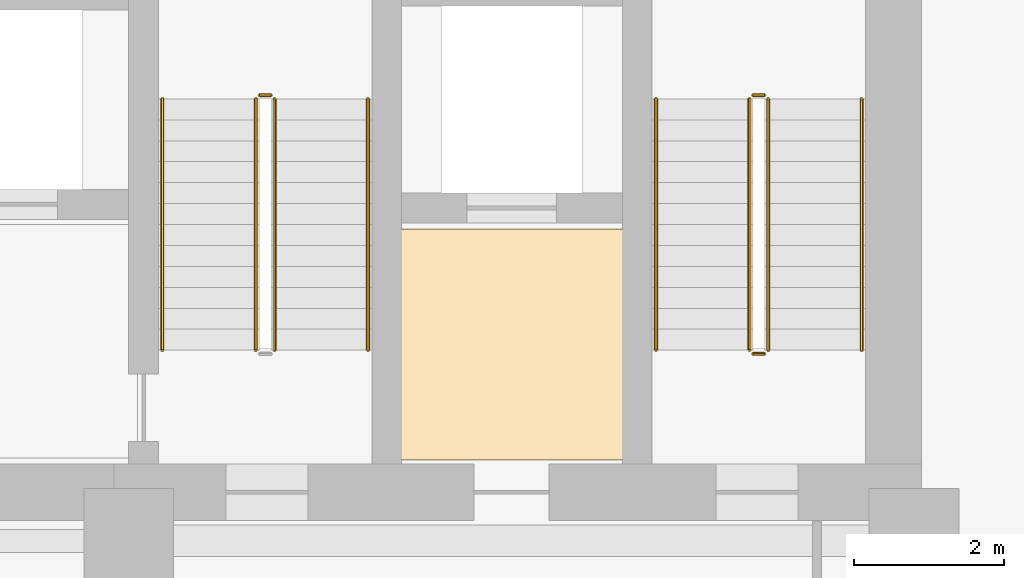
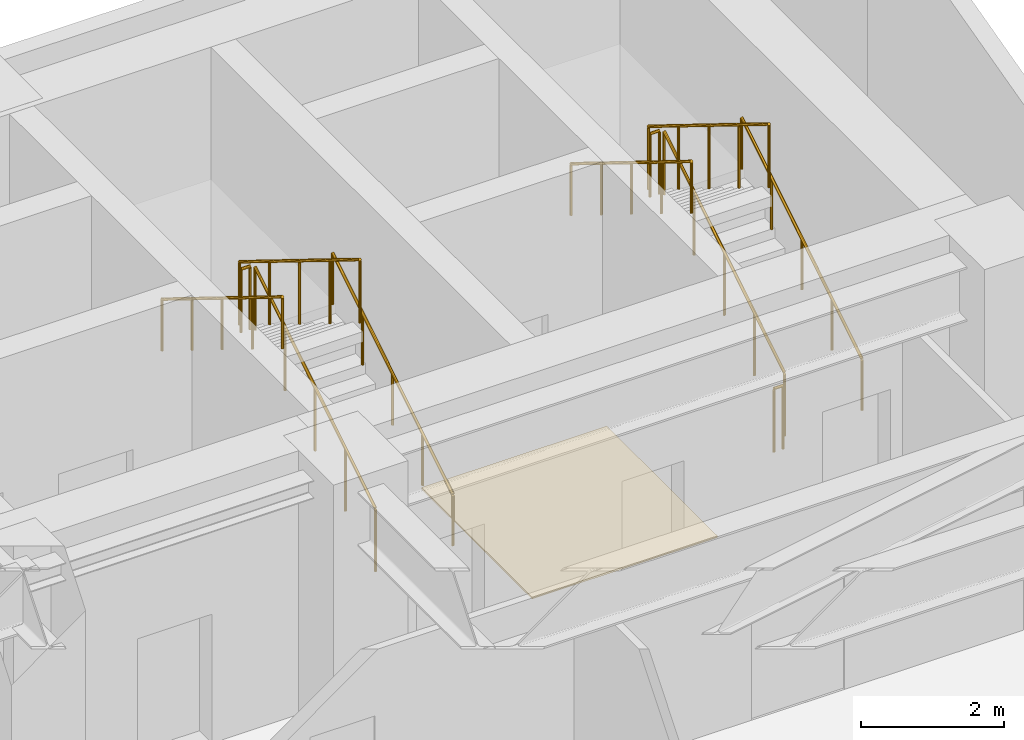
# One storey, part 28 of 28: 11 railings, 1 covering.
"""IFC4 building model written with IfcOpenShell, lengths in metres."""

import ifcopenshell
import ifcopenshell.guid

model = None  # the IFC model being written
_history = None  # IfcOwnerHistory: only IFC2X3 demands one
_inside = {}  # id of a spatial element -> (the spatial element, [elements in it])
_under = {}  # id of a project, library or spatial element -> (it, [spatial elements below it])
_declared = {}  # id of a project -> (the project, [libraries it declares])
_typed = {}  # id of a type object -> (the type object, [elements of that type])
_made_of = {}  # id of a material, layer set ... -> (it, [elements and type objects made of it])


def new_model(schema):
    """Start an empty IFC model of exactly this schema.

    Asked for "IFC4X3", IfcOpenShell would pick the latest addendum, in which some entities
    have other attributes; the version numbers below select the first issue.
    IFC2X3 requires an IfcOwnerHistory on every rooted entity: one is made here for all.
    """
    global model, _history
    if schema == "IFC4X3":
        model = ifcopenshell.file(schema_version=(4, 3, 0, 0))
    else:
        model = ifcopenshell.file(schema=schema)
    _inside.clear()
    _under.clear()
    _declared.clear()
    _typed.clear()
    _made_of.clear()
    _history = None
    if model.schema == "IFC2X3":
        org = make("IfcOrganization", Name="unknown")
        user = make(
            "IfcPersonAndOrganization",
            ThePerson=make("IfcPerson", FamilyName="unknown"),
            TheOrganization=org,
        )
        app = make(
            "IfcApplication",
            ApplicationDeveloper=org,
            Version="unknown",
            ApplicationFullName="unknown",
            ApplicationIdentifier="unknown",
        )
        _history = make(
            "IfcOwnerHistory",
            OwningUser=user,
            OwningApplication=app,
            ChangeAction="ADDED",
            CreationDate=0,
        )
    return model


def make(cls, **values):
    """One entity of the class cls with the attributes given. An attribute that is None is left unset."""
    return model.create_entity(
        cls, **{name: value for name, value in values.items() if value is not None}
    )


def rooted(cls, **values):
    """An entity with a GlobalId (a new one), such as an element, a storey or a relation."""
    return make(cls, GlobalId=ifcopenshell.guid.new(), OwnerHistory=_history, **values)


def si_unit(unit_type, name, prefix=None):
    """IfcSIUnit, for example si_unit("LENGTHUNIT", "METRE", prefix="MILLI")."""
    return make("IfcSIUnit", UnitType=unit_type, Prefix=prefix, Name=name)


def assignment(units):
    """IfcUnitAssignment: the units of a project."""
    return None if units is None else make("IfcUnitAssignment", Units=units)


def point(xyz):
    """IfcCartesianPoint."""
    return None if xyz is None else make("IfcCartesianPoint", Coordinates=xyz)


def direction(xyz):
    """IfcDirection."""
    return None if xyz is None else make("IfcDirection", DirectionRatios=xyz)


def frame(location, z_axis=None, x_axis=None):
    """IfcAxis2Placement3D, a coordinate frame: its origin and axes. An axis left out is left unset."""
    return make(
        "IfcAxis2Placement3D",
        Location=point(location),
        Axis=direction(z_axis),
        RefDirection=direction(x_axis),
    )


def frame_2d(location, x_axis=None):
    """IfcAxis2Placement2D, a coordinate frame in the plane: its origin and x axis."""
    return make(
        "IfcAxis2Placement2D", Location=point(location), RefDirection=direction(x_axis)
    )


def origin():
    """The frame at (0, 0, 0) with its axes left unset."""
    return frame((0.0, 0.0, 0.0))


def origin_2d():
    """The frame at (0, 0) in the plane with its x axis left unset."""
    return frame_2d((0.0, 0.0))


def place(relative_to, where):
    """IfcLocalPlacement: puts the frame where relative to a parent placement (None: the world)."""
    return make(
        "IfcLocalPlacement", PlacementRelTo=relative_to, RelativePlacement=where
    )


def context(
    kind, dimensions, precision=None, world=None, true_north=None, identifier=None
):
    """IfcGeometricRepresentationContext, for example the 3D "Model" context."""
    return make(
        "IfcGeometricRepresentationContext",
        ContextIdentifier=identifier,
        ContextType=kind,
        CoordinateSpaceDimension=dimensions,
        Precision=precision,
        WorldCoordinateSystem=world,
        TrueNorth=true_north,
    )


def subcontext(parent, identifier, kind, view, scale=None):
    """IfcGeometricRepresentationSubContext, for example "Body" below "Model"."""
    return make(
        "IfcGeometricRepresentationSubContext",
        ContextIdentifier=identifier,
        ContextType=kind,
        ParentContext=parent,
        TargetScale=scale,
        TargetView=view,
    )


def project(units=None, contexts=None):
    """IfcProject with its units and contexts."""
    return rooted(
        "IfcProject",
        Name="project",
        RepresentationContexts=contexts,
        UnitsInContext=assignment(units),
    )


def spatial(cls, under=None, at=None, **own):
    """A site, building, storey or space (cls), placed at a placement, below another one or the project."""
    s = rooted(cls, ObjectPlacement=at, **own)
    if under is not None:
        _under.setdefault(under.id(), (under, []))[1].append(s)
    return s


def polyline(points):
    """IfcPolyline through the points."""
    return make("IfcPolyline", Points=[point(p) for p in points])


def profile(cls, at=None, kind="AREA", **sizes):
    """A parametric profile (cls). Its sizes go by their IFC names, for example OverallWidth=200.0."""
    return make(cls, ProfileType=kind, Position=at, **sizes)


def circle(**sizes):
    """IfcCircleProfileDef."""
    return profile("IfcCircleProfileDef", **sizes)


def outline(outer, holes=None, kind="AREA"):
    """IfcArbitraryClosedProfileDef: a profile drawn as a closed curve; with holes, ...WithVoids."""
    if holes is None:
        return make("IfcArbitraryClosedProfileDef", ProfileType=kind, OuterCurve=outer)
    return make(
        "IfcArbitraryProfileDefWithVoids",
        ProfileType=kind,
        OuterCurve=outer,
        InnerCurves=holes,
    )


def extrude(swept, where, along, depth):
    """IfcExtrudedAreaSolid: the profile swept, set in the frame where, extruded along a direction by depth."""
    return make(
        "IfcExtrudedAreaSolid",
        SweptArea=swept,
        Position=where,
        ExtrudedDirection=direction(along),
        Depth=depth,
    )


def shape(context_of_items, identifier, shape_type, items):
    """IfcShapeRepresentation: the items that make up one representation, for example the "Body"."""
    return make(
        "IfcShapeRepresentation",
        ContextOfItems=context_of_items,
        RepresentationIdentifier=identifier,
        RepresentationType=shape_type,
        Items=items,
    )


def material(Name=None, Category=None):
    """IfcMaterial."""
    return make("IfcMaterial", Name=Name, Category=Category)


def layer(
    of_material, thickness, ventilated=None, Name=None, Category=None, Priority=None
):
    """IfcMaterialLayer: one layer of a wall or slab, of a material (None: an air gap)."""
    return make(
        "IfcMaterialLayer",
        Material=of_material,
        LayerThickness=thickness,
        IsVentilated=ventilated,
        Name=Name,
        Category=Category,
        Priority=Priority,
    )


def layer_set(layers, Name=None):
    """IfcMaterialLayerSet."""
    return make("IfcMaterialLayerSet", MaterialLayers=layers, LayerSetName=Name)


def made_of(thing, what):
    """Note that an element or type object is made of a material, layer set ...; save() writes the relation."""
    if what is not None:
        _made_of.setdefault(what.id(), (what, []))[1].append(thing)
    return thing


def type_object(cls, material=None, **own):
    """A type object (cls), such as IfcWallType, which elements share."""
    return made_of(rooted(cls, **own), material)


def element(
    cls,
    number,
    at=None,
    inside=None,
    cuts=None,
    type_object=None,
    material=None,
    context=None,
    identifier="Body",
    shape_type=None,
    held_by="IfcProductDefinitionShape",
    body=None,
    shapes=None,
    **own,
):
    """One element of the class cls, such as IfcWall. Its Tag is "e" and its number.

    at: its placement. inside: the storey or other place that contains it. cuts: it is an
    opening in that element (IfcRelVoidsElement). A single representation is given by context,
    identifier, shape_type and body (its items); several are given by shapes. held_by: the class
    of the entity that holds the representations. save() writes the other relations.
    """
    e = rooted(cls, Tag="e%d" % number, ObjectPlacement=at, **own)
    if body is not None:
        shapes = [shape(context, identifier, shape_type, body)]
    if shapes is not None:
        e.Representation = make(held_by, Representations=shapes)
    if inside is not None:
        _inside.setdefault(inside.id(), (inside, []))[1].append(e)
    if cuts is not None:
        rooted(
            "IfcRelVoidsElement", RelatingBuildingElement=cuts, RelatedOpeningElement=e
        )
    if type_object is not None:
        _typed.setdefault(type_object.id(), (type_object, []))[1].append(e)
    return made_of(e, material)


def aggregate(whole, parts):
    """IfcRelAggregates: a whole, such as a stair, and the parts it consists of."""
    return rooted("IfcRelAggregates", RelatingObject=whole, RelatedObjects=parts)


def save(model, path):
    """Write the relations noted so far, then the file.

    IfcRelAggregates (storeys below a building ...), IfcRelContainedInSpatialStructure (elements
    in a storey), IfcRelDefinesByType, IfcRelAssociatesMaterial and IfcRelDeclares: one each for
    every whole, place, type object, material and project.
    """
    for whole, parts in _under.values():
        aggregate(whole, parts)
    for where, things in _inside.values():
        rooted(
            "IfcRelContainedInSpatialStructure",
            RelatedElements=things,
            RelatingStructure=where,
        )
    for kind, things in _typed.values():
        rooted("IfcRelDefinesByType", RelatedObjects=things, RelatingType=kind)
    for what, things in _made_of.values():
        rooted("IfcRelAssociatesMaterial", RelatedObjects=things, RelatingMaterial=what)
    for by, libraries in _declared.values():
        rooted("IfcRelDeclares", RelatingContext=by, RelatedDefinitions=libraries)
    model.write(path)


model = new_model("IFC4")

# Units and contexts
model_context = context("Model", 3, precision=1e-05, world=origin(), true_north=direction((0.0, 1.0)))
body_context = subcontext(model_context, "Body", "Model", "MODEL_VIEW")
ifc_project = project(units=[si_unit("LENGTHUNIT", "METRE"), si_unit("AREAUNIT", "SQUARE_METRE"), si_unit("VOLUMEUNIT", "CUBIC_METRE"), si_unit("PLANEANGLEUNIT", "RADIAN"), si_unit("MASSUNIT", "GRAM", prefix="KILO")], contexts=[model_context])

# Site, building, storey
site_placement = place(None, origin())
site = spatial("IfcSite", under=ifc_project, at=site_placement, CompositionType="ELEMENT")
building_placement = place(site_placement, origin())
building = spatial("IfcBuilding", under=site, at=building_placement, Name="Kravanh Interchange Tower", CompositionType="ELEMENT")
storey_placement = place(building_placement, frame((0.0, 0.0, 91.5)))
storey = spatial("IfcBuildingStorey", under=building, at=storey_placement, Name="L21", CompositionType="ELEMENT", Elevation=91.5)

# Covering
ifc_material_1 = material(Name="Cementitious Terrazzo Tile")
ifc_layer_1 = layer(ifc_material_1, 0.030029296875)
ifc_layer_set_1 = layer_set([ifc_layer_1], Name="Honed Terrazzo Lobby Flooring 30mm")
covering_type = type_object("IfcCoveringType", Name="Honed Terrazzo Lobby Flooring 30mm", PredefinedType="FLOORING", material=ifc_layer_set_1)
covering_placement = place(storey_placement, origin())
element("IfcCovering", 1, at=covering_placement, inside=storey, type_object=covering_type, Name="L21 Service Lift Lobby Floor Finish", PredefinedType="FLOORING", context=body_context, shape_type="SweptSolid", body=[
    extrude(outline(polyline([(59.6298828125, 41.52001953125), (62.6201171875, 41.52001953125), (62.6201171875, 38.429931640625), (59.6298828125, 38.429931640625), (59.6298828125, 41.52001953125)])), origin(), (0.0, 0.0, 1.0), 0.030029296875),
])

# Railings
ifc_material_2 = material(Name="Structural Steel S355", Category="steel")
ifc_layer_2 = layer(ifc_material_2, 0.050048828125)
ifc_layer_set_2 = layer_set([ifc_layer_2], Name="Stair Well Guardrail Structural Steel S355 1100mm")
railing_type_1 = type_object("IfcRailingType", Name="Stair Well Guardrail Structural Steel S355 1100mm", PredefinedType="GUARDRAIL", material=ifc_layer_set_2)
railing_1_placement = place(storey_placement, frame((64.550048828125, 39.89990234375, 0.173095703125)))
element("IfcRailing", 2, at=railing_1_placement, inside=storey, type_object=railing_type_1, Name="L21 ST1 stair guard 1", PredefinedType="GUARDRAIL", context=body_context, shape_type="SweptSolid", body=[
    extrude(circle(Radius=0.02392578125, at=origin_2d()), frame((0.0, 0.0, 1.076171875), z_axis=(0.0, 0.850623216509, 0.525775754039), x_axis=(-1.0, 0.0, 0.0)), (0.0, 0.0, 1.0), 3.9501953125),
    extrude(circle(Radius=0.02099609375, at=origin_2d()), origin(), (0.0, 0.0, 1.0), 1.052001953125),
    extrude(circle(Radius=0.02099609375, at=origin_2d()), frame((0.0, 0.840087890625, 0.519287109375)), (0.0, 0.0, 1.0), 1.052001953125),
    extrude(circle(Radius=0.02099609375, at=origin_2d()), frame((0.0, 1.68017578125, 1.03857421875)), (0.0, 0.0, 1.0), 1.052001953125),
    extrude(circle(Radius=0.02099609375, at=origin_2d()), frame((0.0, 2.52001953125, 1.5576171875)), (0.0, 0.0, 1.0), 1.052001953125),
    extrude(circle(Radius=0.02099609375, at=origin_2d()), frame((0.0, 3.360107421875, 2.076904296875)), (0.0, 0.0, 1.0), 1.052001953125),
])
railing_2_placement = place(storey_placement, frame((64.5, 43.31005859375, 2.25)))
element("IfcRailing", 3, at=railing_2_placement, inside=storey, type_object=railing_type_1, Name="L21 ST1 stair guard 2", PredefinedType="GUARDRAIL", context=body_context, shape_type="SweptSolid", body=[
    extrude(circle(Radius=0.02392578125, at=origin_2d()), frame((0.0, 0.0, 1.076171875), z_axis=(-1.0, 0.0, 0.0), x_axis=(0.0, -1.0, 0.0)), (0.0, 0.0, 1.0), 0.14990234375),
    extrude(circle(Radius=0.02099609375, at=origin_2d()), origin(), (0.0, 0.0, 1.0), 1.052001953125),
    extrude(circle(Radius=0.02099609375, at=origin_2d()), frame((-0.14990234375, 0.0, 0.0)), (0.0, 0.0, 1.0), 1.052001953125),
])
railing_3_placement = place(storey_placement, frame((64.300048828125, 43.260009765625, 2.423095703125)))
element("IfcRailing", 4, at=railing_3_placement, inside=storey, type_object=railing_type_1, Name="L21 ST1 stair guard 3", PredefinedType="GUARDRAIL", context=body_context, shape_type="SweptSolid", body=[
    extrude(circle(Radius=0.02392578125, at=origin_2d()), frame((0.0, 0.0, 1.076171875), z_axis=(0.0, -0.850623216509, 0.525775754039), x_axis=(1.0, 0.0, 0.0)), (0.0, 0.0, 1.0), 3.9501953125),
    extrude(circle(Radius=0.02099609375, at=origin_2d()), origin(), (0.0, 0.0, 1.0), 1.052001953125),
    extrude(circle(Radius=0.02099609375, at=origin_2d()), frame((0.0, -0.840087890625, 0.519287109375)), (0.0, 0.0, 1.0), 1.052001953125),
    extrude(circle(Radius=0.02099609375, at=origin_2d()), frame((0.0, -1.68017578125, 1.03857421875)), (0.0, 0.0, 1.0), 1.052001953125),
    extrude(circle(Radius=0.02099609375, at=origin_2d()), frame((0.0, -2.52001953125, 1.5576171875)), (0.0, 0.0, 1.0), 1.052001953125),
    extrude(circle(Radius=0.02099609375, at=origin_2d()), frame((0.0, -3.360107421875, 2.076904296875)), (0.0, 0.0, 1.0), 1.052001953125),
])
railing_4_placement = place(storey_placement, frame((64.5, 39.85009765625, 0.0)))
element("IfcRailing", 5, at=railing_4_placement, inside=storey, type_object=railing_type_1, Name="L21 ST1 stair guard 4", PredefinedType="GUARDRAIL", context=body_context, shape_type="SweptSolid", body=[
    extrude(circle(Radius=0.02392578125, at=origin_2d()), frame((0.0, 0.0, 1.076171875), z_axis=(-1.0, 0.0, 0.0), x_axis=(0.0, -1.0, 0.0)), (0.0, 0.0, 1.0), 0.14990234375),
    extrude(circle(Radius=0.02099609375, at=origin_2d()), origin(), (0.0, 0.0, 1.0), 1.052001953125),
    extrude(circle(Radius=0.02099609375, at=origin_2d()), frame((-0.14990234375, 0.0, 0.0)), (0.0, 0.0, 1.0), 1.052001953125),
])
railing_5_placement = place(storey_placement, frame((57.949951171875, 39.89990234375, 0.173095703125)))
element("IfcRailing", 6, at=railing_5_placement, inside=storey, type_object=railing_type_1, Name="L21 ST2 stair guard 1", PredefinedType="GUARDRAIL", context=body_context, shape_type="SweptSolid", body=[
    extrude(circle(Radius=0.02392578125, at=origin_2d()), frame((0.0, 0.0, 1.076171875), z_axis=(0.0, 0.850623216509, 0.525775754039), x_axis=(-1.0, 0.0, 0.0)), (0.0, 0.0, 1.0), 3.9501953125),
    extrude(circle(Radius=0.02099609375, at=origin_2d()), origin(), (0.0, 0.0, 1.0), 1.052001953125),
    extrude(circle(Radius=0.02099609375, at=origin_2d()), frame((0.0, 0.840087890625, 0.519287109375)), (0.0, 0.0, 1.0), 1.052001953125),
    extrude(circle(Radius=0.02099609375, at=origin_2d()), frame((0.0, 1.68017578125, 1.03857421875)), (0.0, 0.0, 1.0), 1.052001953125),
    extrude(circle(Radius=0.02099609375, at=origin_2d()), frame((0.0, 2.52001953125, 1.5576171875)), (0.0, 0.0, 1.0), 1.052001953125),
    extrude(circle(Radius=0.02099609375, at=origin_2d()), frame((0.0, 3.360107421875, 2.076904296875)), (0.0, 0.0, 1.0), 1.052001953125),
])
railing_6_placement = place(storey_placement, frame((57.89990234375, 43.31005859375, 2.25)))
element("IfcRailing", 7, at=railing_6_placement, inside=storey, type_object=railing_type_1, Name="L21 ST2 stair guard 2", PredefinedType="GUARDRAIL", context=body_context, shape_type="SweptSolid", body=[
    extrude(circle(Radius=0.02392578125, at=origin_2d()), frame((0.0, 0.0, 1.076171875), z_axis=(-1.0, 0.0, 0.0), x_axis=(0.0, -1.0, 0.0)), (0.0, 0.0, 1.0), 0.14990234375),
    extrude(circle(Radius=0.02099609375, at=origin_2d()), origin(), (0.0, 0.0, 1.0), 1.052001953125),
    extrude(circle(Radius=0.02099609375, at=origin_2d()), frame((-0.14990234375, 0.0, 0.0)), (0.0, 0.0, 1.0), 1.052001953125),
])
railing_7_placement = place(storey_placement, frame((57.699951171875, 43.260009765625, 2.423095703125)))
element("IfcRailing", 8, at=railing_7_placement, inside=storey, type_object=railing_type_1, Name="L21 ST2 stair guard 3", PredefinedType="GUARDRAIL", context=body_context, shape_type="SweptSolid", body=[
    extrude(circle(Radius=0.02392578125, at=origin_2d()), frame((0.0, 0.0, 1.076171875), z_axis=(0.0, -0.850623216509, 0.525775754039), x_axis=(1.0, 0.0, 0.0)), (0.0, 0.0, 1.0), 3.9501953125),
    extrude(circle(Radius=0.02099609375, at=origin_2d()), origin(), (0.0, 0.0, 1.0), 1.052001953125),
    extrude(circle(Radius=0.02099609375, at=origin_2d()), frame((0.0, -0.840087890625, 0.519287109375)), (0.0, 0.0, 1.0), 1.052001953125),
    extrude(circle(Radius=0.02099609375, at=origin_2d()), frame((0.0, -1.68017578125, 1.03857421875)), (0.0, 0.0, 1.0), 1.052001953125),
    extrude(circle(Radius=0.02099609375, at=origin_2d()), frame((0.0, -2.52001953125, 1.5576171875)), (0.0, 0.0, 1.0), 1.052001953125),
    extrude(circle(Radius=0.02099609375, at=origin_2d()), frame((0.0, -3.360107421875, 2.076904296875)), (0.0, 0.0, 1.0), 1.052001953125),
])
ifc_material_3 = material(Name="Stainless Steel 304", Category="steel")
ifc_layer_3 = layer(ifc_material_3, 0.044921875)
ifc_layer_set_3 = layer_set([ifc_layer_3], Name="Tubular Stair Handrail Stainless 304 900mm")
railing_type_2 = type_object("IfcRailingType", Name="Tubular Stair Handrail Stainless 304 900mm", PredefinedType="HANDRAIL", material=ifc_layer_set_3)
railing_8_placement = place(storey_placement, frame((65.800048828125, 39.89990234375, 0.173095703125)))
element("IfcRailing", 9, at=railing_8_placement, inside=storey, type_object=railing_type_2, Name="L21 ST1 stair handrail 1", PredefinedType="HANDRAIL", context=body_context, shape_type="SweptSolid", body=[
    extrude(circle(Radius=0.02392578125, at=origin_2d()), frame((0.0, 0.0, 0.8759765625), z_axis=(0.0, 0.850623216509, 0.525775754039), x_axis=(-1.0, 0.0, 0.0)), (0.0, 0.0, 1.0), 3.9501953125),
    extrude(circle(Radius=0.02099609375, at=origin_2d()), origin(), (0.0, 0.0, 1.0), 0.851806640625),
    extrude(circle(Radius=0.02099609375, at=origin_2d()), frame((0.0, 0.840087890625, 0.519287109375)), (0.0, 0.0, 1.0), 0.851806640625),
    extrude(circle(Radius=0.02099609375, at=origin_2d()), frame((0.0, 1.68017578125, 1.03857421875)), (0.0, 0.0, 1.0), 0.851806640625),
    extrude(circle(Radius=0.02099609375, at=origin_2d()), frame((0.0, 2.52001953125, 1.5576171875)), (0.0, 0.0, 1.0), 0.851806640625),
    extrude(circle(Radius=0.02099609375, at=origin_2d()), frame((0.0, 3.360107421875, 2.076904296875)), (0.0, 0.0, 1.0), 0.851806640625),
])
railing_9_placement = place(storey_placement, frame((63.050048828125, 43.260009765625, 2.423095703125)))
element("IfcRailing", 10, at=railing_9_placement, inside=storey, type_object=railing_type_2, Name="L21 ST1 stair handrail 2", PredefinedType="HANDRAIL", context=body_context, shape_type="SweptSolid", body=[
    extrude(circle(Radius=0.02392578125, at=origin_2d()), frame((0.0, 0.0, 0.8759765625), z_axis=(0.0, -0.850623216509, 0.525775754039), x_axis=(1.0, 0.0, 0.0)), (0.0, 0.0, 1.0), 3.9501953125),
    extrude(circle(Radius=0.02099609375, at=origin_2d()), origin(), (0.0, 0.0, 1.0), 0.851806640625),
    extrude(circle(Radius=0.02099609375, at=origin_2d()), frame((0.0, -0.840087890625, 0.519287109375)), (0.0, 0.0, 1.0), 0.851806640625),
    extrude(circle(Radius=0.02099609375, at=origin_2d()), frame((0.0, -1.68017578125, 1.03857421875)), (0.0, 0.0, 1.0), 0.851806640625),
    extrude(circle(Radius=0.02099609375, at=origin_2d()), frame((0.0, -2.52001953125, 1.5576171875)), (0.0, 0.0, 1.0), 0.851806640625),
    extrude(circle(Radius=0.02099609375, at=origin_2d()), frame((0.0, -3.360107421875, 2.076904296875)), (0.0, 0.0, 1.0), 0.851806640625),
])
railing_10_placement = place(storey_placement, frame((59.199951171875, 39.89990234375, 0.173095703125)))
element("IfcRailing", 11, at=railing_10_placement, inside=storey, type_object=railing_type_2, Name="L21 ST2 stair handrail 1", PredefinedType="HANDRAIL", context=body_context, shape_type="SweptSolid", body=[
    extrude(circle(Radius=0.02392578125, at=origin_2d()), frame((0.0, 0.0, 0.8759765625), z_axis=(0.0, 0.850623216509, 0.525775754039), x_axis=(-1.0, 0.0, 0.0)), (0.0, 0.0, 1.0), 3.9501953125),
    extrude(circle(Radius=0.02099609375, at=origin_2d()), origin(), (0.0, 0.0, 1.0), 0.851806640625),
    extrude(circle(Radius=0.02099609375, at=origin_2d()), frame((0.0, 0.840087890625, 0.519287109375)), (0.0, 0.0, 1.0), 0.851806640625),
    extrude(circle(Radius=0.02099609375, at=origin_2d()), frame((0.0, 1.68017578125, 1.03857421875)), (0.0, 0.0, 1.0), 0.851806640625),
    extrude(circle(Radius=0.02099609375, at=origin_2d()), frame((0.0, 2.52001953125, 1.5576171875)), (0.0, 0.0, 1.0), 0.851806640625),
    extrude(circle(Radius=0.02099609375, at=origin_2d()), frame((0.0, 3.360107421875, 2.076904296875)), (0.0, 0.0, 1.0), 0.851806640625),
])
railing_11_placement = place(storey_placement, frame((56.449951171875, 43.260009765625, 2.423095703125)))
element("IfcRailing", 12, at=railing_11_placement, inside=storey, type_object=railing_type_2, Name="L21 ST2 stair handrail 2", PredefinedType="HANDRAIL", context=body_context, shape_type="SweptSolid", body=[
    extrude(circle(Radius=0.02392578125, at=origin_2d()), frame((0.0, 0.0, 0.8759765625), z_axis=(0.0, -0.850623216509, 0.525775754039), x_axis=(1.0, 0.0, 0.0)), (0.0, 0.0, 1.0), 3.9501953125),
    extrude(circle(Radius=0.02099609375, at=origin_2d()), origin(), (0.0, 0.0, 1.0), 0.851806640625),
    extrude(circle(Radius=0.02099609375, at=origin_2d()), frame((0.0, -0.840087890625, 0.519287109375)), (0.0, 0.0, 1.0), 0.851806640625),
    extrude(circle(Radius=0.02099609375, at=origin_2d()), frame((0.0, -1.68017578125, 1.03857421875)), (0.0, 0.0, 1.0), 0.851806640625),
    extrude(circle(Radius=0.02099609375, at=origin_2d()), frame((0.0, -2.52001953125, 1.5576171875)), (0.0, 0.0, 1.0), 0.851806640625),
    extrude(circle(Radius=0.02099609375, at=origin_2d()), frame((0.0, -3.360107421875, 2.076904296875)), (0.0, 0.0, 1.0), 0.851806640625),
])

save(model, "model.ifc")
